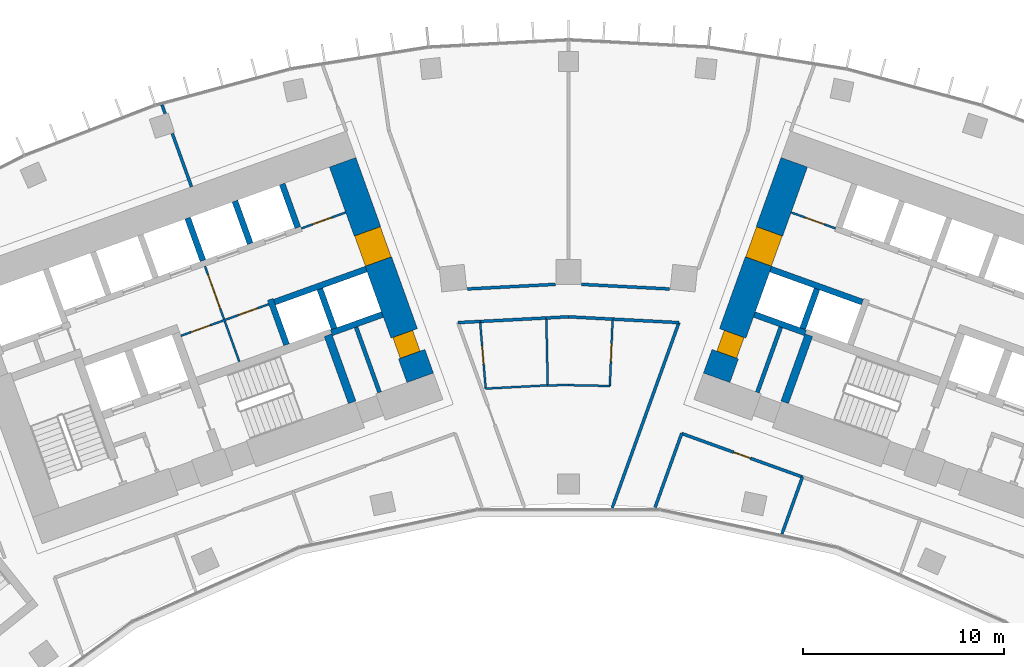
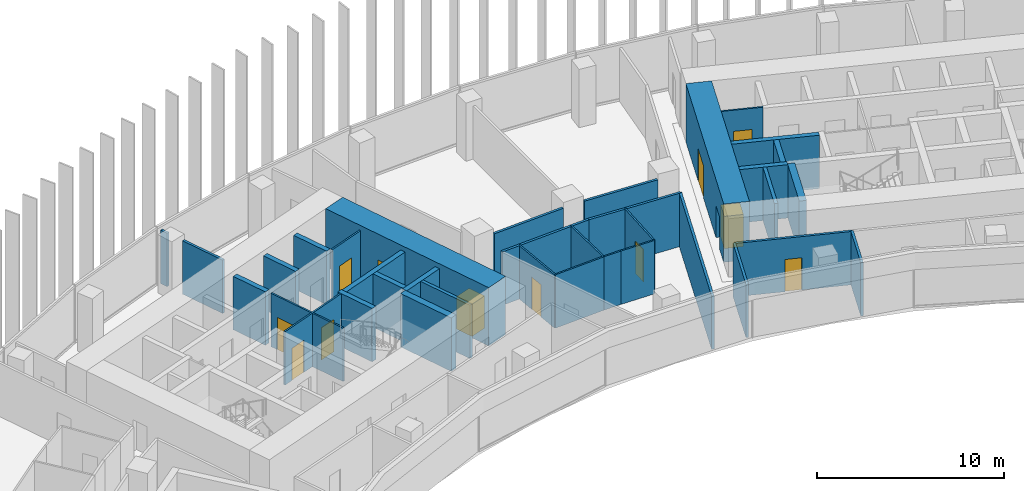
# One storey, part 17 of 23: 39 walls, 12 doors, 12 openings.
"""IFC4 building model written with IfcOpenShell, lengths in metres."""

from ifc_helpers import new_model, si_unit, direction, frame, frame_2d, origin, place, context, subcontext, project, spatial, rectangle, extrude, material, layer, layer_set, type_object, element, fill, save


model = new_model("IFC4")

# Units and contexts
model_context = context("Model", 3, precision=1e-05, world=origin(), true_north=direction((0.0, 1.0)))
body_context = subcontext(model_context, "Body", "Model", "MODEL_VIEW")
ifc_project = project(units=[si_unit("LENGTHUNIT", "METRE"), si_unit("AREAUNIT", "SQUARE_METRE"), si_unit("VOLUMEUNIT", "CUBIC_METRE"), si_unit("PLANEANGLEUNIT", "RADIAN"), si_unit("MASSUNIT", "GRAM", prefix="KILO")], contexts=[model_context])

# Site, building, storey
site_placement = place(None, origin())
site = spatial("IfcSite", under=ifc_project, at=site_placement, CompositionType="ELEMENT")
building_placement = place(site_placement, origin())
building = spatial("IfcBuilding", under=site, at=building_placement, Name="Stone Belt Terrace Tower", CompositionType="ELEMENT")
storey_placement = place(building_placement, frame((0.0, 0.0, 178.199951171875)))
storey = spatial("IfcBuildingStorey", under=building, at=storey_placement, Name="L43", CompositionType="ELEMENT", Elevation=178.199951171875)

# Wall, openings, doors
ifc_material_1 = material(Name="Plasterboard partition")
ifc_layer_1 = layer(ifc_material_1, 0.10009765625)
ifc_layer_set_1 = layer_set([ifc_layer_1], Name="Core partition 100")
wall_type_1 = type_object("IfcWallType", Name="Core partition 100", PredefinedType="PARTITIONING", material=ifc_layer_set_1)
wall_1_placement = place(storey_placement, frame((-19.29052734375, 51.829833984375, 0.0), z_axis=(0.0, 0.0, 1.0), x_axis=(0.940930240745, 0.338600475563, 0.0)))
wall_1 = element("IfcWall", 1, at=wall_1_placement, inside=storey, type_object=wall_type_1, Name="Core A wall", PredefinedType="PARTITIONING", context=body_context, shape_type="SweptSolid", body=[
    extrude(rectangle(XDim=4.64990234375, YDim=0.10009765625, at=frame_2d((2.324951171875, 0.0))), origin(), (0.0, 0.0, 1.0), 3.47998046875),
])
opening_1_placement = place(wall_1_placement, frame((0.550048828125, 0.0, 0.0)))
opening_1 = element("IfcOpeningElement", 2, at=opening_1_placement, cuts=wall_1, Name="Opening L43-C02", PredefinedType="OPENING", context=body_context, shape_type="SweptSolid", body=[
    extrude(rectangle(XDim=1.0, YDim=2.10009765625, at=frame_2d((0.5, 1.050048828125))), frame((0.0, 0.06005859375, 0.0), z_axis=(0.0, -1.0, 0.0), x_axis=(1.0, 0.0, 0.0)), (0.0, 0.0, 1.0), 0.1201171875),
])
opening_2_placement = place(wall_1_placement, frame((3.050048828125, 0.0, 0.0)))
opening_2 = element("IfcOpeningElement", 3, at=opening_2_placement, cuts=wall_1, Name="Opening L43-C03", PredefinedType="OPENING", context=body_context, shape_type="SweptSolid", body=[
    extrude(rectangle(XDim=1.0, YDim=2.10009765625, at=frame_2d((0.5, 1.050048828125))), frame((0.0, 0.06005859375, 0.0), z_axis=(0.0, -1.0, 0.0), x_axis=(1.0, 0.0, 0.0)), (0.0, 0.0, 1.0), 0.1201171875),
])
ifc_material_2 = material(Name="Timber door leaf", Category="wood")
door_type_1 = type_object("IfcDoorType", Name="Core room door 1000", OperationType="SINGLE_SWING_LEFT", PredefinedType="DOOR", material=ifc_material_2)
door_1_placement = place(opening_1_placement, origin())
door_1 = element("IfcDoor", 4, at=door_1_placement, inside=storey, type_object=door_type_1, Name="Door to Staff pantry core A", OperationType="SINGLE_SWING_RIGHT", OverallHeight=2.10009765625, OverallWidth=1.0, PredefinedType="DOOR", context=body_context, shape_type="SweptSolid", body=[
    extrude(rectangle(XDim=1.0, YDim=2.10009765625, at=frame_2d((0.5, 1.050048828125))), frame((0.0, 0.02490234375, 0.0), z_axis=(0.0, -1.0, 0.0), x_axis=(1.0, 0.0, 0.0)), (0.0, 0.0, 1.0), 0.050048828125),
])
fill(opening_1, door_1)
door_2_placement = place(opening_2_placement, origin())
door_2 = element("IfcDoor", 5, at=door_2_placement, inside=storey, type_object=door_type_1, Name="Door to Telecommunications room core A", OperationType="SINGLE_SWING_LEFT", OverallHeight=2.10009765625, OverallWidth=1.0, PredefinedType="DOOR", context=body_context, shape_type="SweptSolid", body=[
    extrude(rectangle(XDim=1.0, YDim=2.10009765625, at=frame_2d((0.5, 1.050048828125))), frame((0.0, 0.02490234375, 0.0), z_axis=(0.0, -1.0, 0.0), x_axis=(1.0, 0.0, 0.0)), (0.0, 0.0, 1.0), 0.050048828125),
])
fill(opening_2, door_2)

# Wall, opening, door
wall_2_placement = place(storey_placement, frame((-16.38134765625, 50.53857421875, 0.0), z_axis=(0.0, 0.0, 1.0), x_axis=(-0.33860476744, 0.940928696271, 0.0)))
wall_2 = element("IfcWall", 6, at=wall_2_placement, inside=storey, type_object=wall_type_1, Name="Core A wall", PredefinedType="PARTITIONING", context=body_context, shape_type="SweptSolid", body=[
    extrude(rectangle(XDim=5.050048828125, YDim=0.10009765625, at=frame_2d((2.52490234375, 0.0))), origin(), (0.0, 0.0, 1.0), 3.47998046875),
])
opening_3_placement = place(wall_2_placement, frame((2.800048828125, 0.0, 0.0)))
opening_3 = element("IfcOpeningElement", 7, at=opening_3_placement, cuts=wall_2, Name="Opening L43-C06", PredefinedType="OPENING", context=body_context, shape_type="SweptSolid", body=[
    extrude(rectangle(XDim=1.800048828125, YDim=2.10009765625, at=frame_2d((0.89990234375, 1.050048828125))), frame((0.0, 0.06005859375, 0.0), z_axis=(0.0, -1.0, 0.0), x_axis=(1.0, 0.0, 0.0)), (0.0, 0.0, 1.0), 0.1201171875),
])
ifc_material_3 = material(Name="Glazed aluminium door leaf", Category="aluminium")
door_type_2 = type_object("IfcDoorType", Name="Lift lobby entrance door 1800", OperationType="DOUBLE_DOOR_SINGLE_SWING", PredefinedType="DOOR", material=ifc_material_3)
door_3_placement = place(opening_3_placement, origin())
door_3 = element("IfcDoor", 8, at=door_3_placement, inside=storey, type_object=door_type_2, Name="Lift lobby double door core A", OperationType="DOUBLE_DOOR_SINGLE_SWING", OverallHeight=2.10009765625, OverallWidth=1.800048828125, PredefinedType="DOOR", context=body_context, shape_type="SweptSolid", body=[
    extrude(rectangle(XDim=1.800048828125, YDim=2.10009765625, at=frame_2d((0.89990234375, 1.050048828125))), frame((0.0, 0.02490234375, 0.0), z_axis=(0.0, -1.0, 0.0), x_axis=(1.0, 0.0, 0.0)), (0.0, 0.0, 1.0), 0.050048828125),
])
fill(opening_3, door_3)

wall_3_placement = place(storey_placement, frame((-13.29638671875, 57.17529296875, 0.0), z_axis=(0.0, 0.0, 1.0), x_axis=(0.940904627055, 0.338671644496, 0.0)))
wall_3 = element("IfcWall", 9, at=wall_3_placement, inside=storey, type_object=wall_type_1, Name="Core A wall", PredefinedType="PARTITIONING", context=body_context, shape_type="SweptSolid", body=[
    extrude(rectangle(XDim=2.35009765625, YDim=0.10009765625, at=frame_2d((1.175048828125, 0.0))), origin(), (0.0, 0.0, 1.0), 3.47998046875),
])
opening_4_placement = place(wall_3_placement, frame((0.60009765625, 0.0, 0.0)))
opening_4 = element("IfcOpeningElement", 10, at=opening_4_placement, cuts=wall_3, Name="Opening L43-C01", PredefinedType="OPENING", context=body_context, shape_type="SweptSolid", body=[
    extrude(rectangle(XDim=1.0, YDim=2.10009765625, at=frame_2d((0.5, 1.050048828125))), frame((0.0, 0.06005859375, 0.0), z_axis=(0.0, -1.0, 0.0), x_axis=(1.0, 0.0, 0.0)), (0.0, 0.0, 1.0), 0.1201171875),
])
door_4_placement = place(opening_4_placement, origin())
door_4 = element("IfcDoor", 11, at=door_4_placement, inside=storey, type_object=door_type_1, Name="Door to Meeting store core A", OperationType="SINGLE_SWING_RIGHT", OverallHeight=2.10009765625, OverallWidth=1.0, PredefinedType="DOOR", context=body_context, shape_type="SweptSolid", body=[
    extrude(rectangle(XDim=1.0, YDim=2.10009765625, at=frame_2d((0.5, 1.050048828125))), frame((0.0, 0.02490234375, 0.0), z_axis=(0.0, -1.0, 0.0), x_axis=(1.0, 0.0, 0.0)), (0.0, 0.0, 1.0), 0.050048828125),
])
fill(opening_4, door_4)

wall_4_placement = place(storey_placement, frame((13.29638671875, 57.17529296875, 0.0), z_axis=(0.0, 0.0, 1.0), x_axis=(-0.940904627055, 0.338671644496, 0.0)))
wall_4 = element("IfcWall", 12, at=wall_4_placement, inside=storey, type_object=wall_type_1, Name="Core B wall", PredefinedType="PARTITIONING", context=body_context, shape_type="SweptSolid", body=[
    extrude(rectangle(XDim=2.35009765625, YDim=0.10009765625, at=frame_2d((1.175048828125, 0.0))), origin(), (0.0, 0.0, 1.0), 3.47998046875),
])
opening_5_placement = place(wall_4_placement, frame((0.60009765625, 0.0, 0.0)))
opening_5 = element("IfcOpeningElement", 13, at=opening_5_placement, cuts=wall_4, Name="Opening L43-C15", PredefinedType="OPENING", context=body_context, shape_type="SweptSolid", body=[
    extrude(rectangle(XDim=1.0, YDim=2.10009765625, at=frame_2d((0.5, 1.050048828125))), frame((0.0, 0.06005859375, 0.0), z_axis=(0.0, -1.0, 0.0), x_axis=(1.0, 0.0, 0.0)), (0.0, 0.0, 1.0), 0.1201171875),
])
door_5_placement = place(opening_5_placement, origin())
door_5 = element("IfcDoor", 14, at=door_5_placement, inside=storey, type_object=door_type_1, Name="Door to Meeting store core B", OperationType="SINGLE_SWING_LEFT", OverallHeight=2.10009765625, OverallWidth=1.0, PredefinedType="DOOR", context=body_context, shape_type="SweptSolid", body=[
    extrude(rectangle(XDim=1.0, YDim=2.10009765625, at=frame_2d((0.5, 1.050048828125))), frame((0.0, 0.02490234375, 0.0), z_axis=(0.0, -1.0, 0.0), x_axis=(1.0, 0.0, 0.0)), (0.0, 0.0, 1.0), 0.050048828125),
])
fill(opening_5, door_5)

# Wall, openings, doors
ifc_material_4 = material(Name="Concrete B80", Category="concrete")
ifc_layer_2 = layer(ifc_material_4, 1.39990234375)
ifc_layer_set_2 = layer_set([ifc_layer_2], Name="Core wall 1400 B80")
wall_type_2 = type_object("IfcWallType", Name="Core wall 1400 B80", PredefinedType="SHEAR", material=ifc_layer_set_2)
wall_5_placement = place(storey_placement, frame((-7.379150390625, 49.73974609375, 0.0), z_axis=(0.0, 0.0, 1.0), x_axis=(-0.338625431531, 0.940921259788, 0.0)))
wall_5 = element("IfcWall", 15, at=wall_5_placement, inside=storey, type_object=wall_type_2, Name="Core A wall end_b L43", PredefinedType="SHEAR", context=body_context, shape_type="SweptSolid", body=[
    extrude(rectangle(XDim=11.400146484375, YDim=1.39990234375, at=frame_2d((5.7001953125, 0.0))), origin(), (0.0, 0.0, 1.0), 3.800048828125),
])
opening_6_placement = place(wall_5_placement, frame((6.14990234375, 0.0, 0.0)))
opening_6 = element("IfcOpeningElement", 16, at=opening_6_placement, cuts=wall_5, Name="Opening L43-C07", PredefinedType="OPENING", context=body_context, shape_type="SweptSolid", body=[
    extrude(rectangle(XDim=1.60009765625, YDim=2.10009765625, at=frame_2d((0.800048828125, 1.050048828125))), frame((0.0, 0.7099609375, 0.0), z_axis=(0.0, -1.0, 0.0), x_axis=(1.0, 0.0, 0.0)), (0.0, 0.0, 1.0), 1.419921875),
])
opening_7_placement = place(wall_5_placement, frame((1.25, 0.0, 0.0)))
opening_7 = element("IfcOpeningElement", 17, at=opening_7_placement, cuts=wall_5, Name="Opening L43-C13", PredefinedType="OPENING", context=body_context, shape_type="SweptSolid", body=[
    extrude(rectangle(XDim=1.10009765625, YDim=2.10009765625, at=frame_2d((0.550048828125, 1.050048828125))), frame((0.0, 0.7099609375, 0.0), z_axis=(0.0, -1.0, 0.0), x_axis=(1.0, 0.0, 0.0)), (0.0, 0.0, 1.0), 1.419921875),
])
door_type_3 = type_object("IfcDoorType", Name="Core room door 1100", OperationType="SINGLE_SWING_LEFT", PredefinedType="DOOR", material=ifc_material_2)
door_6_placement = place(opening_7_placement, origin())
door_6 = element("IfcDoor", 18, at=door_6_placement, inside=storey, type_object=door_type_3, Name="Door to Cleaner's store core A", OperationType="SINGLE_SWING_LEFT", OverallHeight=2.10009765625, OverallWidth=1.10009765625, PredefinedType="DOOR", context=body_context, shape_type="SweptSolid", body=[
    extrude(rectangle(XDim=1.10009765625, YDim=2.10009765625, at=frame_2d((0.550048828125, 1.050048828125))), frame((0.0, 0.60498046875, 0.0), z_axis=(0.0, -1.0, 0.0), x_axis=(1.0, 0.0, 0.0)), (0.0, 0.0, 1.0), 1.050048828125),
])
fill(opening_7, door_6)
door_type_4 = type_object("IfcDoorType", Name="Lift lobby entrance door 1600", OperationType="DOUBLE_DOOR_SINGLE_SWING", PredefinedType="DOOR", material=ifc_material_3)
door_7_placement = place(opening_6_placement, origin())
door_7 = element("IfcDoor", 19, at=door_7_placement, inside=storey, type_object=door_type_4, Name="Lift lobby entrance door core A", OperationType="DOUBLE_DOOR_SINGLE_SWING", OverallHeight=2.10009765625, OverallWidth=1.60009765625, PredefinedType="DOOR", context=body_context, shape_type="SweptSolid", body=[
    extrude(rectangle(XDim=1.60009765625, YDim=2.10009765625, at=frame_2d((0.800048828125, 1.050048828125))), frame((0.0, 0.68017578125, 0.0), z_axis=(0.0, -1.0, 0.0), x_axis=(1.0, 0.0, 0.0)), (0.0, 0.0, 1.0), 1.360107421875),
])
fill(opening_6, door_7)

wall_6_placement = place(storey_placement, frame((7.379150390625, 49.73974609375, 0.0), z_axis=(0.0, 0.0, 1.0), x_axis=(0.338625431531, 0.940921259788, 0.0)))
wall_6 = element("IfcWall", 20, at=wall_6_placement, inside=storey, type_object=wall_type_2, Name="Core B wall end_a L43", PredefinedType="SHEAR", context=body_context, shape_type="SweptSolid", body=[
    extrude(rectangle(XDim=11.400146484375, YDim=1.39990234375, at=frame_2d((5.7001953125, 0.0))), origin(), (0.0, 0.0, 1.0), 3.800048828125),
])
opening_8_placement = place(wall_6_placement, frame((6.14990234375, 0.0, 0.0)))
opening_8 = element("IfcOpeningElement", 21, at=opening_8_placement, cuts=wall_6, Name="Opening L43-C21", PredefinedType="OPENING", context=body_context, shape_type="SweptSolid", body=[
    extrude(rectangle(XDim=1.60009765625, YDim=2.10009765625, at=frame_2d((0.800048828125, 1.050048828125))), frame((0.0, 0.7099609375, 0.0), z_axis=(0.0, -1.0, 0.0), x_axis=(1.0, 0.0, 0.0)), (0.0, 0.0, 1.0), 1.419921875),
])
opening_9_placement = place(wall_6_placement, frame((1.25, 0.0, 0.0)))
opening_9 = element("IfcOpeningElement", 22, at=opening_9_placement, cuts=wall_6, Name="Opening L43-C27", PredefinedType="OPENING", context=body_context, shape_type="SweptSolid", body=[
    extrude(rectangle(XDim=1.10009765625, YDim=2.10009765625, at=frame_2d((0.550048828125, 1.050048828125))), frame((0.0, 0.7099609375, 0.0), z_axis=(0.0, -1.0, 0.0), x_axis=(1.0, 0.0, 0.0)), (0.0, 0.0, 1.0), 1.419921875),
])
door_8_placement = place(opening_9_placement, origin())
door_8 = element("IfcDoor", 23, at=door_8_placement, inside=storey, type_object=door_type_3, Name="Door to Cleaner's store core B", OperationType="SINGLE_SWING_RIGHT", OverallHeight=2.10009765625, OverallWidth=1.10009765625, PredefinedType="DOOR", context=body_context, shape_type="SweptSolid", body=[
    extrude(rectangle(XDim=1.10009765625, YDim=2.10009765625, at=frame_2d((0.550048828125, 1.050048828125))), frame((0.0, 0.44482421875, 0.0), z_axis=(0.0, -1.0, 0.0), x_axis=(1.0, 0.0, 0.0)), (0.0, 0.0, 1.0), 1.050048828125),
])
fill(opening_9, door_8)
door_9_placement = place(opening_8_placement, origin())
door_9 = element("IfcDoor", 24, at=door_9_placement, inside=storey, type_object=door_type_4, Name="Lift lobby entrance door core B", OperationType="DOUBLE_DOOR_SINGLE_SWING", OverallHeight=2.10009765625, OverallWidth=1.60009765625, PredefinedType="DOOR", context=body_context, shape_type="SweptSolid", body=[
    extrude(rectangle(XDim=1.60009765625, YDim=2.10009765625, at=frame_2d((0.800048828125, 1.050048828125))), frame((0.0, 0.68017578125, 0.0), z_axis=(0.0, -1.0, 0.0), x_axis=(1.0, 0.0, 0.0)), (0.0, 0.0, 1.0), 1.360107421875),
])
fill(opening_8, door_9)

# Walls
ifc_layer_3 = layer(ifc_material_4, 0.300048828125)
ifc_layer_set_3 = layer_set([ifc_layer_3], Name="Lift shaft wall 300")
wall_type_3 = type_object("IfcWallType", Name="Lift shaft wall 300", PredefinedType="SHEAR", material=ifc_layer_set_3)
wall_7_placement = place(storey_placement, frame((-18.193115234375, 55.572509765625, 0.0), z_axis=(0.0, 0.0, 1.0), x_axis=(-0.338535034312, 0.940953787677, 0.0)))
element("IfcWall", 25, at=wall_7_placement, inside=storey, type_object=wall_type_3, Name="Core A wall", PredefinedType="SHEAR", context=body_context, shape_type="SweptSolid", body=[
    extrude(rectangle(XDim=2.25, YDim=0.300048828125, at=frame_2d((1.125, 0.0))), origin(), (0.0, 0.0, 1.0), 3.47998046875),
])
wall_8_placement = place(storey_placement, frame((-14.029052734375, 51.38525390625, 0.0), z_axis=(0.0, 0.0, 1.0), x_axis=(-0.338661829791, 0.940908159728, 0.0)))
element("IfcWall", 26, at=wall_8_placement, inside=storey, type_object=wall_type_3, Name="Core A wall", PredefinedType="SHEAR", context=body_context, shape_type="SweptSolid", body=[
    extrude(rectangle(XDim=2.39990234375, YDim=0.300048828125, at=frame_2d((1.199951171875, 0.0))), origin(), (0.0, 0.0, 1.0), 3.47998046875),
])
wall_9_placement = place(storey_placement, frame((-14.6328125, 53.506103515625, 0.0), z_axis=(0.0, 0.0, 1.0), x_axis=(0.940931684323, 0.338596464007, 0.0)))
element("IfcWall", 27, at=wall_9_placement, inside=storey, type_object=wall_type_3, Name="Core A wall", PredefinedType="SHEAR", context=body_context, shape_type="SweptSolid", body=[
    extrude(rectangle(XDim=4.849609375, YDim=0.300048828125, at=frame_2d((2.4248046875, 0.0))), origin(), (0.0, 0.0, 1.0), 3.47998046875),
])
wall_10_placement = place(storey_placement, frame((-15.8408203125, 56.419189453125, 0.0), z_axis=(0.0, 0.0, 1.0), x_axis=(-0.338569601369, 0.940941350472, 0.0)))
element("IfcWall", 28, at=wall_10_placement, inside=storey, type_object=wall_type_3, Name="Core A wall", PredefinedType="SHEAR", context=body_context, shape_type="SweptSolid", body=[
    extrude(rectangle(XDim=2.249755859375, YDim=0.300048828125, at=frame_2d((1.125, 0.0))), origin(), (0.0, 0.0, 1.0), 3.47998046875),
])
wall_11_placement = place(storey_placement, frame((-11.797119140625, 51.975830078125, 0.0), z_axis=(0.0, 0.0, 1.0), x_axis=(0.940910465161, 0.33865542451, 0.0)))
element("IfcWall", 29, at=wall_11_placement, inside=storey, type_object=wall_type_3, Name="Core A wall", PredefinedType="SHEAR", context=body_context, shape_type="SweptSolid", body=[
    extrude(rectangle(XDim=2.69970703125, YDim=0.300048828125, at=frame_2d((1.349853515625, 0.0))), origin(), (0.0, 0.0, 1.0), 3.47998046875),
])
wall_12_placement = place(storey_placement, frame((-11.659912109375, 52.184814453125, 0.0), z_axis=(0.0, 0.0, 1.0), x_axis=(-0.338670064856, 0.940905195634, 0.0)))
element("IfcWall", 30, at=wall_12_placement, inside=storey, type_object=wall_type_3, Name="Core A wall", PredefinedType="SHEAR", context=body_context, shape_type="SweptSolid", body=[
    extrude(rectangle(XDim=2.099853515625, YDim=0.300048828125, at=frame_2d((1.0498046875, 0.0))), origin(), (0.0, 0.0, 1.0), 3.47998046875),
])
wall_13_placement = place(storey_placement, frame((-13.471435546875, 57.218505859375, 0.0), z_axis=(0.0, 0.0, 1.0), x_axis=(-0.338587917, 0.940934759939, 0.0)))
element("IfcWall", 31, at=wall_13_placement, inside=storey, type_object=wall_type_3, Name="Core A wall", PredefinedType="SHEAR", context=body_context, shape_type="SweptSolid", body=[
    extrude(rectangle(XDim=2.300048828125, YDim=0.300048828125, at=frame_2d((1.14990234375, 0.0))), origin(), (0.0, 0.0, 1.0), 3.47998046875),
])
wall_14_placement = place(storey_placement, frame((14.6328125, 53.506103515625, 0.0), z_axis=(0.0, 0.0, 1.0), x_axis=(-0.940931684323, 0.338596464007, 0.0)))
element("IfcWall", 32, at=wall_14_placement, inside=storey, type_object=wall_type_3, Name="Core B wall", PredefinedType="SHEAR", context=body_context, shape_type="SweptSolid", body=[
    extrude(rectangle(XDim=4.849609375, YDim=0.300048828125, at=frame_2d((2.4248046875, 0.0))), origin(), (0.0, 0.0, 1.0), 3.47998046875),
])
wall_15_placement = place(storey_placement, frame((11.797119140625, 51.975830078125, 0.0), z_axis=(0.0, 0.0, 1.0), x_axis=(-0.940910465161, 0.33865542451, 0.0)))
element("IfcWall", 33, at=wall_15_placement, inside=storey, type_object=wall_type_3, Name="Core B wall", PredefinedType="SHEAR", context=body_context, shape_type="SweptSolid", body=[
    extrude(rectangle(XDim=2.69970703125, YDim=0.300048828125, at=frame_2d((1.349853515625, 0.0))), origin(), (0.0, 0.0, 1.0), 3.47998046875),
])
wall_16_placement = place(storey_placement, frame((11.659912109375, 52.184814453125, 0.0), z_axis=(0.0, 0.0, 1.0), x_axis=(0.338670064856, 0.940905195634, 0.0)))
element("IfcWall", 34, at=wall_16_placement, inside=storey, type_object=wall_type_3, Name="Core B wall", PredefinedType="SHEAR", context=body_context, shape_type="SweptSolid", body=[
    extrude(rectangle(XDim=2.099853515625, YDim=0.300048828125, at=frame_2d((1.0498046875, 0.0))), origin(), (0.0, 0.0, 1.0), 3.47998046875),
])

# Wall, opening, door
ifc_material_5 = material(Name="Gypsum board partition")
ifc_layer_4 = layer(ifc_material_5, 0.10009765625)
ifc_layer_set_4 = layer_set([ifc_layer_4], Name="PARTITION 100")
wall_type_4 = type_object("IfcWallType", Name="PARTITION 100", PredefinedType="PARTITIONING", material=ifc_layer_set_4)
wall_17_placement = place(storey_placement, frame((-4.39794921875, 52.544921875, 0.0), z_axis=(0.0, 0.0, 1.0), x_axis=(0.083208144683, -0.996532189474, 0.0)))
wall_17 = element("IfcWall", 35, at=wall_17_placement, inside=storey, type_object=wall_type_4, Name="L43/wall/i080", PredefinedType="PARTITIONING", context=body_context, shape_type="SweptSolid", body=[
    extrude(rectangle(XDim=3.353759765625, YDim=0.10009765625, at=frame_2d((1.6767578125, 0.0))), origin(), (0.0, 0.0, 1.0), 3.47998046875),
])
opening_10_placement = place(wall_17_placement, frame((1.226806640625, 0.0, 0.0)))
opening_10 = element("IfcOpeningElement", 36, at=opening_10_placement, cuts=wall_17, Name="Opening D-C4-25", PredefinedType="OPENING", context=body_context, shape_type="SweptSolid", body=[
    extrude(rectangle(XDim=0.89990234375, YDim=2.10009765625, at=frame_2d((0.449951171875, 1.050048828125))), frame((0.0, 0.06005859375, 0.0), z_axis=(0.0, -1.0, 0.0), x_axis=(1.0, 0.0, 0.0)), (0.0, 0.0, 1.0), 0.1201171875),
])
door_type_5 = type_object("IfcDoorType", Name="OFFICE DOOR 900 X 2100", OperationType="NOTDEFINED", PredefinedType="DOOR", material=ifc_material_2)
door_10_placement = place(opening_10_placement, origin())
door_10 = element("IfcDoor", 37, at=door_10_placement, inside=storey, type_object=door_type_5, Name="L43/door/i25", OperationType="SINGLE_SWING_RIGHT", OverallHeight=2.10009765625, OverallWidth=0.89990234375, PredefinedType="DOOR", context=body_context, shape_type="SweptSolid", body=[
    extrude(rectangle(XDim=0.89990234375, YDim=2.10009765625, at=frame_2d((0.449951171875, 1.050048828125))), frame((0.0, 0.02490234375, 0.0), z_axis=(0.0, -1.0, 0.0), x_axis=(1.0, 0.0, 0.0)), (0.0, 0.0, 1.0), 0.050048828125),
])
fill(opening_10, door_10)

# Walls
wall_18_placement = place(storey_placement, frame((-4.118896484375, 49.202880859375, 0.0), z_axis=(0.0, 0.0, 1.0), x_axis=(0.998641285107, 0.052111262506, 0.0)))
element("IfcWall", 38, at=wall_18_placement, inside=storey, type_object=wall_type_4, Name="L43/wall/i081", PredefinedType="PARTITIONING", context=body_context, shape_type="SweptSolid", body=[
    extrude(rectangle(XDim=3.092041015625, YDim=0.10009765625, at=frame_2d((1.5458984375, 0.0))), origin(), (0.0, 0.0, 1.0), 3.47998046875),
])
wall_19_placement = place(storey_placement, frame((-1.031005859375, 49.364013671875, 0.0), z_axis=(0.0, 0.0, 1.0), x_axis=(0.999943230393, 0.010655326869, 0.0)))
element("IfcWall", 39, at=wall_19_placement, inside=storey, type_object=wall_type_4, Name="L43/wall/i082", PredefinedType="PARTITIONING", context=body_context, shape_type="SweptSolid", body=[
    extrude(rectangle(XDim=1.031005859375, YDim=0.10009765625, at=frame_2d((0.515625, 0.0))), origin(), (0.0, 0.0, 1.0), 3.47998046875),
])
wall_20_placement = place(storey_placement, frame((0.0, 49.375, 0.0), z_axis=(0.0, 0.0, 1.0), x_axis=(0.999782748342, -0.020843610958, 0.0)))
element("IfcWall", 40, at=wall_20_placement, inside=storey, type_object=wall_type_4, Name="L43/wall/i083", PredefinedType="PARTITIONING", context=body_context, shape_type="SweptSolid", body=[
    extrude(rectangle(XDim=2.0615234375, YDim=0.10009765625, at=frame_2d((1.03076171875, 0.0))), origin(), (0.0, 0.0, 1.0), 3.47998046875),
])

# Wall, opening, door
wall_21_placement = place(storey_placement, frame((2.06103515625, 49.33203125, 0.0), z_axis=(0.0, 0.0, 1.0), x_axis=(0.041706764719, 0.999129894346, 0.0)))
wall_21 = element("IfcWall", 41, at=wall_21_placement, inside=storey, type_object=wall_type_4, Name="L43/wall/i084", PredefinedType="PARTITIONING", context=body_context, shape_type="SweptSolid", body=[
    extrude(rectangle(XDim=3.330810546875, YDim=0.10009765625, at=frame_2d((1.66552734375, 0.0))), origin(), (0.0, 0.0, 1.0), 3.47998046875),
])
opening_11_placement = place(wall_21_placement, frame((1.21533203125, 0.0, 0.0)))
opening_11 = element("IfcOpeningElement", 42, at=opening_11_placement, cuts=wall_21, Name="Opening D-C4-26", PredefinedType="OPENING", context=body_context, shape_type="SweptSolid", body=[
    extrude(rectangle(XDim=0.89990234375, YDim=2.10009765625, at=frame_2d((0.449951171875, 1.050048828125))), frame((0.0, 0.06005859375, 0.0), z_axis=(0.0, -1.0, 0.0), x_axis=(1.0, 0.0, 0.0)), (0.0, 0.0, 1.0), 0.1201171875),
])
door_11_placement = place(opening_11_placement, origin())
door_11 = element("IfcDoor", 43, at=door_11_placement, inside=storey, type_object=door_type_5, Name="L43/door/i26", OperationType="SINGLE_SWING_RIGHT", OverallHeight=2.10009765625, OverallWidth=0.89990234375, PredefinedType="DOOR", context=body_context, shape_type="SweptSolid", body=[
    extrude(rectangle(XDim=0.89990234375, YDim=2.10009765625, at=frame_2d((0.449951171875, 1.050048828125))), frame((0.0, 0.02490234375, 0.0), z_axis=(0.0, -1.0, 0.0), x_axis=(1.0, 0.0, 0.0)), (0.0, 0.0, 1.0), 0.050048828125),
])
fill(opening_11, door_11)

# Walls
wall_22_placement = place(storey_placement, frame((-1.10107421875, 52.717041015625, 0.0), z_axis=(0.0, 0.0, 1.0), x_axis=(0.020892482599, -0.999781728264, 0.0)))
element("IfcWall", 44, at=wall_22_placement, inside=storey, type_object=wall_type_4, Name="L43/wall/i085", PredefinedType="PARTITIONING", context=body_context, shape_type="SweptSolid", body=[
    extrude(rectangle(XDim=3.353759765625, YDim=0.10009765625, at=frame_2d((1.6767578125, 0.0))), origin(), (0.0, 0.0, 1.0), 3.47998046875),
])
ifc_layer_5 = layer(ifc_material_5, 0.14990234375)
ifc_layer_set_5 = layer_set([ifc_layer_5], Name="PARTITION 150 EI 60")
wall_type_5 = type_object("IfcWallType", Name="PARTITION 150 EI 60", PredefinedType="PARTITIONING", material=ifc_layer_set_5)
wall_23_placement = place(storey_placement, frame((-20.23193359375, 63.330078125, 0.0), z_axis=(0.0, 0.0, 1.0), x_axis=(0.338868527298, -0.940833737281, 0.0)))
element("IfcWall", 45, at=wall_23_placement, inside=storey, type_object=wall_type_5, Name="L43/wall/i016", PredefinedType="PARTITIONING", context=body_context, shape_type="SweptSolid", body=[
    extrude(rectangle(XDim=0.4638671875, YDim=0.14990234375, at=frame_2d((0.23193359375, 0.0))), origin(), (0.0, 0.0, 1.0), 3.47998046875),
])
wall_24_placement = place(storey_placement, frame((-19.715576171875, 61.895751953125, 0.0), z_axis=(0.0, 0.0, 1.0), x_axis=(0.338747107053, -0.940877461449, 0.0)))
element("IfcWall", 46, at=wall_24_placement, inside=storey, type_object=wall_type_5, Name="L43/wall/i017", PredefinedType="PARTITIONING", context=body_context, shape_type="SweptSolid", body=[
    extrude(rectangle(XDim=2.815185546875, YDim=0.14990234375, at=frame_2d((1.40771484375, 0.0))), origin(), (0.0, 0.0, 1.0), 3.47998046875),
])
wall_25_placement = place(storey_placement, frame((5.638916015625, 46.971923828125, 0.0), z_axis=(0.0, 0.0, 1.0), x_axis=(-0.338569683937, -0.940941320763, 0.0)))
element("IfcWall", 47, at=wall_25_placement, inside=storey, type_object=wall_type_5, Name="L43/wall/i018", PredefinedType="PARTITIONING", context=body_context, shape_type="SweptSolid", body=[
    extrude(rectangle(XDim=3.9248046875, YDim=0.14990234375, at=frame_2d((1.96240234375, 0.0))), origin(), (0.0, 0.0, 1.0), 3.47998046875),
])
wall_26_placement = place(storey_placement, frame((2.178466796875, 43.26171875, 0.0), z_axis=(0.0, 0.0, 1.0), x_axis=(0.338654259988, 0.940910884299, 0.0)))
element("IfcWall", 48, at=wall_26_placement, inside=storey, type_object=wall_type_5, Name="L43/wall/i020", PredefinedType="PARTITIONING", context=body_context, shape_type="SweptSolid", body=[
    extrude(rectangle(XDim=9.81103515625, YDim=0.14990234375, at=frame_2d((4.905517578125, 0.0))), origin(), (0.0, 0.0, 1.0), 3.47998046875),
])

# Wall, opening, door
wall_27_placement = place(storey_placement, frame((11.655029296875, 44.800048828125, 0.0), z_axis=(0.0, 0.0, 1.0), x_axis=(-0.940911739311, 0.338651884429, 0.0)))
wall_27 = element("IfcWall", 49, at=wall_27_placement, inside=storey, type_object=wall_type_5, Name="L43/wall/i029", PredefinedType="PARTITIONING", context=body_context, shape_type="SweptSolid", body=[
    extrude(rectangle(XDim=6.39599609375, YDim=0.14990234375, at=frame_2d((3.197998046875, 0.0))), origin(), (0.0, 0.0, 1.0), 3.47998046875),
])
opening_12_placement = place(wall_27_placement, frame((2.748046875, 0.0, 0.0)))
opening_12 = element("IfcOpeningElement", 50, at=opening_12_placement, cuts=wall_27, Name="Opening D-C4-06", PredefinedType="OPENING", context=body_context, shape_type="SweptSolid", body=[
    extrude(rectangle(XDim=0.89990234375, YDim=2.10009765625, at=frame_2d((0.449951171875, 1.050048828125))), frame((0.0, 0.0849609375, 0.0), z_axis=(0.0, -1.0, 0.0), x_axis=(1.0, 0.0, 0.0)), (0.0, 0.0, 1.0), 0.169921875),
])
door_12_placement = place(opening_12_placement, origin())
door_12 = element("IfcDoor", 51, at=door_12_placement, inside=storey, type_object=door_type_5, Name="L43/door/i06", OperationType="SINGLE_SWING_RIGHT", OverallHeight=2.10009765625, OverallWidth=0.89990234375, PredefinedType="DOOR", context=body_context, shape_type="SweptSolid", body=[
    extrude(rectangle(XDim=0.89990234375, YDim=2.10009765625, at=frame_2d((0.449951171875, 1.050048828125))), frame((0.0, 0.02490234375, 0.0), z_axis=(0.0, -1.0, 0.0), x_axis=(1.0, 0.0, 0.0)), (0.0, 0.0, 1.0), 0.050048828125),
])
fill(opening_12, door_12)

# Walls
wall_28_placement = place(storey_placement, frame((11.64892578125, 44.802001953125, 0.0), z_axis=(0.0, 0.0, 1.0), x_axis=(-0.338759664312, -0.940872940325, 0.0)))
element("IfcWall", 52, at=wall_28_placement, inside=storey, type_object=wall_type_5, Name="L43/wall/i032", PredefinedType="PARTITIONING", context=body_context, shape_type="SweptSolid", body=[
    extrude(rectangle(XDim=3.010986328125, YDim=0.14990234375, at=frame_2d((1.50537109375, 0.0))), origin(), (0.0, 0.0, 1.0), 3.47998046875),
])
wall_29_placement = place(storey_placement, frame((-4.39208984375, 52.544921875, 0.0), z_axis=(0.0, 0.0, 1.0), x_axis=(-0.998636626653, -0.05220045887, 0.0)))
element("IfcWall", 53, at=wall_29_placement, inside=storey, type_object=wall_type_5, Name="L43/wall/i073", PredefinedType="PARTITIONING", context=body_context, shape_type="SweptSolid", body=[
    extrude(rectangle(XDim=1.1083984375, YDim=0.14990234375, at=frame_2d((0.55419921875, 0.0))), origin(), (0.0, 0.0, 1.0), 3.47998046875),
])
wall_30_placement = place(storey_placement, frame((5.4990234375, 52.487060546875, 0.0), z_axis=(0.0, 0.0, 1.0), x_axis=(-0.998635096968, 0.052229714756, 0.0)))
element("IfcWall", 54, at=wall_30_placement, inside=storey, type_object=wall_type_5, Name="L43/wall/i074", PredefinedType="PARTITIONING", context=body_context, shape_type="SweptSolid", body=[
    extrude(rectangle(XDim=3.3095703125, YDim=0.14990234375, at=frame_2d((1.65478515625, 0.0))), origin(), (0.0, 0.0, 1.0), 3.47998046875),
])
wall_31_placement = place(storey_placement, frame((-1.094970703125, 52.718017578125, 0.0), z_axis=(0.0, 0.0, 1.0), x_axis=(-0.998619253661, -0.052531763897, 0.0)))
element("IfcWall", 55, at=wall_31_placement, inside=storey, type_object=wall_type_5, Name="L43/wall/i075", PredefinedType="PARTITIONING", context=body_context, shape_type="SweptSolid", body=[
    extrude(rectangle(XDim=3.313720703125, YDim=0.14990234375, at=frame_2d((1.65673828125, 0.0))), origin(), (0.0, 0.0, 1.0), 3.47998046875),
])
wall_32_placement = place(storey_placement, frame((2.2060546875, 52.658935546875, 0.0), z_axis=(0.0, 0.0, 1.0), x_axis=(-0.99862118551, 0.052495026905, 0.0)))
element("IfcWall", 56, at=wall_32_placement, inside=storey, type_object=wall_type_5, Name="L43/wall/i076", PredefinedType="PARTITIONING", context=body_context, shape_type="SweptSolid", body=[
    extrude(rectangle(XDim=2.208984375, YDim=0.14990234375, at=frame_2d((1.1044921875, 0.0))), origin(), (0.0, 0.0, 1.0), 3.47998046875),
])
wall_33_placement = place(storey_placement, frame((0.0, 52.77490234375, 0.0), z_axis=(0.0, 0.0, 1.0), x_axis=(-0.998636626653, -0.05220045887, 0.0)))
element("IfcWall", 57, at=wall_33_placement, inside=storey, type_object=wall_type_5, Name="L43/wall/i077", PredefinedType="PARTITIONING", context=body_context, shape_type="SweptSolid", body=[
    extrude(rectangle(XDim=1.1083984375, YDim=0.14990234375, at=frame_2d((0.55419921875, 0.0))), origin(), (0.0, 0.0, 1.0), 3.47998046875),
])
for number, where, z_axis, x_axis, name in (
    (58, (-5.033935546875, 54.161376953125, 0.0), (0.0, 0.0, 1.0), (0.998632402253, 0.052281212406, 0.0), "L43/wall/i078"),
    (59, (0.655029296875, 54.390625, 0.0), (0.0, 0.0, 1.0), (0.998632402253, -0.052281212406, 0.0), "L43/wall/i079"),
):
    element("IfcWall", number, at=place(storey_placement, frame(where, z_axis=z_axis, x_axis=x_axis)), inside=storey, type_object=wall_type_5, Name=name, PredefinedType="PARTITIONING", context=body_context, shape_type="SweptSolid", body=[
        extrude(rectangle(XDim=4.385009765625, YDim=0.14990234375, at=frame_2d((2.1923828125, 0.0))), origin(), (0.0, 0.0, 1.0), 3.47998046875),
    ])
ifc_material_6 = material(Name="Concrete masonry block", Category="masonry")
ifc_layer_6 = layer(ifc_material_6, 0.199951171875)
ifc_layer_set_6 = layer_set([ifc_layer_6], Name="Rated lobby wall 200")
wall_type_6 = type_object("IfcWallType", Name="Rated lobby wall 200", PredefinedType="PARTITIONING", material=ifc_layer_set_6)
for number, where, z_axis, x_axis, name in (
    (60, (-9.402099609375, 49.01171875, 0.0), (0.0, 0.0, 1.0), (-0.338599189079, 0.940930703695, 0.0), "Core A wall"),
    (61, (9.402099609375, 49.01171875, 0.0), (0.0, 0.0, 1.0), (0.338599189079, 0.940930703695, 0.0), "Core B wall"),
):
    element("IfcWall", number, at=place(storey_placement, frame(where, z_axis=z_axis, x_axis=x_axis)), inside=storey, type_object=wall_type_6, Name=name, PredefinedType="PARTITIONING", context=body_context, shape_type="SweptSolid", body=[
        extrude(rectangle(XDim=3.4501953125, YDim=0.199951171875, at=frame_2d((1.72509765625, 0.0))), origin(), (0.0, 0.0, 1.0), 3.47998046875),
    ])
ifc_layer_7 = layer(ifc_material_4, 0.39990234375)
ifc_layer_set_7 = layer_set([ifc_layer_7], Name="Stair enclosure wall 400")
wall_type_7 = type_object("IfcWallType", Name="Stair enclosure wall 400", PredefinedType="SHEAR", material=ifc_layer_set_7)
for number, where, z_axis, x_axis, name in (
    (62, (-10.766357421875, 48.520751953125, 0.0), (0.0, 0.0, 1.0), (-0.338626928157, 0.94092072117, 0.0), "Core A wall"),
    (63, (10.766357421875, 48.520751953125, 0.0), (0.0, 0.0, 1.0), (0.338626928157, 0.94092072117, 0.0), "Core B wall"),
):
    element("IfcWall", number, at=place(storey_placement, frame(where, z_axis=z_axis, x_axis=x_axis)), inside=storey, type_object=wall_type_7, Name=name, PredefinedType="SHEAR", context=body_context, shape_type="SweptSolid", body=[
        extrude(rectangle(XDim=3.550048828125, YDim=0.39990234375, at=frame_2d((1.77490234375, 0.0))), origin(), (0.0, 0.0, 1.0), 3.47998046875),
    ])

save(model, "model.ifc")
